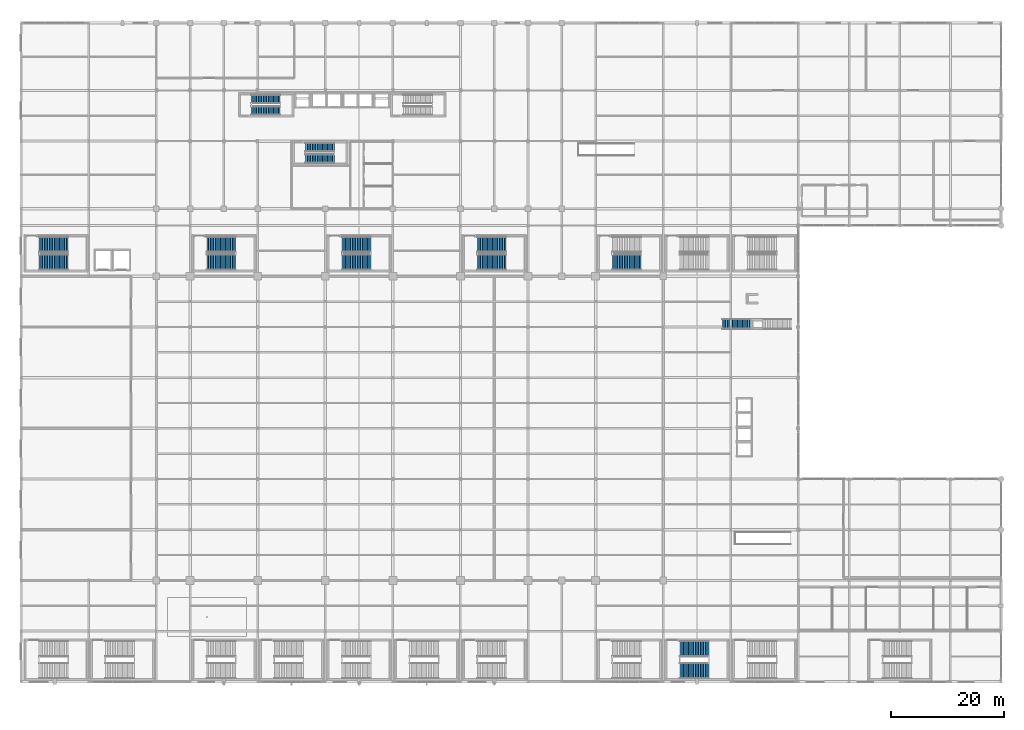
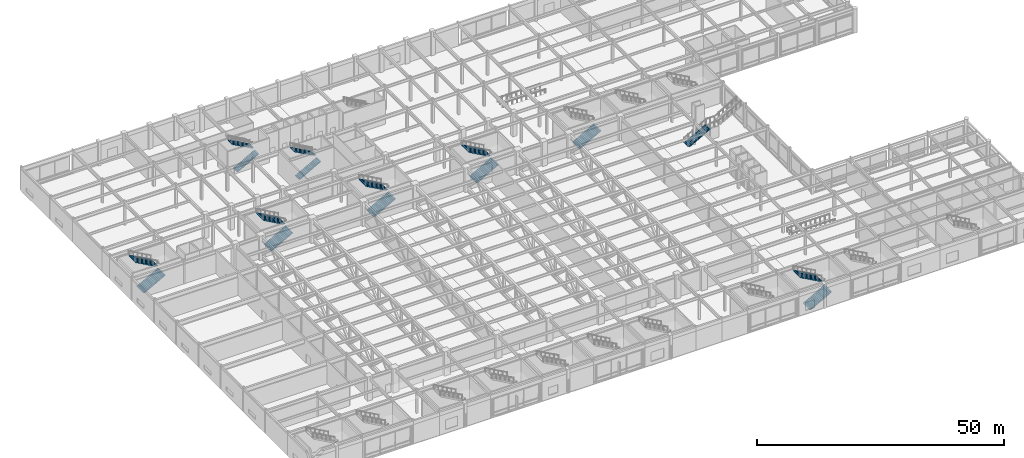
# One storey, part 98 of 108: 16 stair flights, 9 elements without a shape of their own.
"""IFC4 building model written with IfcOpenShell, lengths in metres."""

from ifc_helpers import new_model, si_unit, direction, frame, origin, place, context, subcontext, project, spatial, polyline, outline, extrude, material, type_object, element, aggregate, save


model = new_model("IFC4")

# Units and contexts
model_context = context("Model", 3, precision=1e-05, world=origin(), true_north=direction((0.0, 1.0)))
body_context = subcontext(model_context, "Body", "Model", "MODEL_VIEW")
ifc_project = project(units=[si_unit("LENGTHUNIT", "METRE"), si_unit("AREAUNIT", "SQUARE_METRE"), si_unit("VOLUMEUNIT", "CUBIC_METRE"), si_unit("PLANEANGLEUNIT", "RADIAN"), si_unit("MASSUNIT", "GRAM", prefix="KILO")], contexts=[model_context])

# Site, building, storey
site_placement = place(None, origin())
site = spatial("IfcSite", under=ifc_project, at=site_placement, CompositionType="ELEMENT")
building_placement = place(site_placement, origin())
building = spatial("IfcBuilding", under=site, at=building_placement, Name="Kaldorvane Square Convention Centre", CompositionType="ELEMENT")
storey_placement = place(building_placement, frame((0.0, 0.0, 12.0)))
storey = spatial("IfcBuildingStorey", under=building, at=storey_placement, Name="L02", CompositionType="ELEMENT", Elevation=12.0)

# Stair, stair flight
ifc_material_1 = material(Name="Steel ASTM A500 Gr. C", Category="steel")
stair_type_1 = type_object("IfcStairType", Name="ST-STR-1800-6000", PredefinedType="STRAIGHT_RUN_STAIR", material=ifc_material_1)
stair_1_placement = place(storey_placement, origin())
stair_1 = element("IfcStair", 1, at=stair_1_placement, inside=storey, type_object=stair_type_1, Name="East Foyer Grand Stair F3 (L02)", PredefinedType="STRAIGHT_RUN_STAIR")
stair_flight_type_1 = type_object("IfcStairFlightType", Name="SF-FEAT-1800-18R", PredefinedType="STRAIGHT", material=ifc_material_1)
stair_flight_1_placement = place(storey_placement, frame((124.47999572753906, 63.5, 0.0), z_axis=(0.0, 0.0, 1.0), x_axis=(1.0, 0.0, 0.0)))
stair_flight_1 = element("IfcStairFlight", 2, at=stair_flight_1_placement, type_object=stair_flight_type_1, Name="East Foyer Grand Stair F3 Lower Flight (L02)", NumberOfRisers=18, NumberOfTreads=17, PredefinedType="STRAIGHT", RiserHeight=0.166666667, TreadLength=0.3, context=body_context, shape_type="SweptSolid", body=[
    extrude(outline(polyline([(0.0, 0.0), (0.0, 0.1666717529296875), (0.3000030517578125, 0.1666717529296875), (0.3000030517578125, 0.3333282470703125), (0.600006103515625, 0.3333282470703125), (0.600006103515625, 0.5), (0.899993896484375, 0.5), (0.899993896484375, 0.6666717529296875), (1.1999969482421875, 0.6666717529296875), (1.1999969482421875, 0.8333282470703125), (1.5, 0.8333282470703125), (1.5, 1.0), (1.8000030517578125, 1.0), (1.8000030517578125, 1.1666717529296875), (2.100006103515625, 1.1666717529296875), (2.100006103515625, 1.3333282470703125), (2.399993896484375, 1.3333282470703125), (2.399993896484375, 1.5), (2.6999969482421875, 1.5), (2.6999969482421875, 1.6666717529296875), (3.0, 1.6666717529296875), (3.0, 1.8333282470703125), (3.3000030517578125, 1.8333282470703125), (3.3000030517578125, 2.0), (3.600006103515625, 2.0), (3.600006103515625, 2.1666717529296875), (3.899993896484375, 2.1666717529296875), (3.899993896484375, 2.3333282470703125), (4.1999969482421875, 2.3333282470703125), (4.1999969482421875, 2.5), (4.5, 2.5), (4.5, 2.6666717529296875), (4.8000030517578125, 2.6666717529296875), (4.8000030517578125, 2.8333282470703125), (5.100006103515625, 2.8333282470703125), (5.100006103515625, 3.0), (5.100006103515625, 2.6045379638671875), (0.4118194580078125, 0.0), (0.0, 0.0)])), frame((0.0, 0.899993896484375, 0.0), z_axis=(0.0, -1.0, 0.0), x_axis=(1.0, 0.0, 0.0)), (0.0, 0.0, 1.0), 1.8000030517578125),
])
aggregate(stair_1, [stair_flight_1])

# Stair, stair flights
ifc_material_2 = material(Name="Concrete f'c = 42 MPa (Normalweight)", Category="concrete")
stair_type_2 = type_object("IfcStairType", Name="ST-DL-1600-6000", PredefinedType="HALF_TURN_STAIR", material=ifc_material_2)
stair_2_placement = place(storey_placement, origin())
stair_2 = element("IfcStair", 3, at=stair_2_placement, inside=storey, type_object=stair_type_2, Name="Tower Exit Stair T1 (L02)", PredefinedType="HALF_TURN_STAIR")
stair_flight_type_2 = type_object("IfcStairFlightType", Name="SF-STR-1600-18R", PredefinedType="STRAIGHT", material=ifc_material_2)
stair_flight_2_placement = place(storey_placement, frame((40.899993896484375, 101.41000366210938, 0.0), z_axis=(0.0, 0.0, 1.0), x_axis=(1.0, 0.0, 0.0)))
stair_flight_2 = element("IfcStairFlight", 4, at=stair_flight_2_placement, type_object=stair_flight_type_2, Name="Tower Exit Stair T1 Flight 1 (L02)", NumberOfRisers=18, NumberOfTreads=17, PredefinedType="STRAIGHT", RiserHeight=0.166666667, TreadLength=0.3, context=body_context, shape_type="SweptSolid", body=[
    extrude(outline(polyline([(0.0, 0.0), (0.0, 0.1666717529296875), (0.3000030517578125, 0.1666717529296875), (0.3000030517578125, 0.3333282470703125), (0.600006103515625, 0.3333282470703125), (0.600006103515625, 0.5), (0.899993896484375, 0.5), (0.899993896484375, 0.6666717529296875), (1.1999969482421875, 0.6666717529296875), (1.1999969482421875, 0.8333282470703125), (1.5, 0.8333282470703125), (1.5, 1.0), (1.8000030517578125, 1.0), (1.8000030517578125, 1.1666717529296875), (2.100006103515625, 1.1666717529296875), (2.100006103515625, 1.3333282470703125), (2.399993896484375, 1.3333282470703125), (2.399993896484375, 1.5), (2.6999969482421875, 1.5), (2.6999969482421875, 1.6666717529296875), (3.0, 1.6666717529296875), (3.0, 1.8333282470703125), (3.3000030517578125, 1.8333282470703125), (3.3000030517578125, 2.0), (3.600006103515625, 2.0), (3.600006103515625, 2.1666717529296875), (3.899993896484375, 2.1666717529296875), (3.899993896484375, 2.3333282470703125), (4.1999969482421875, 2.3333282470703125), (4.1999969482421875, 2.5), (4.5, 2.5), (4.5, 2.6666717529296875), (4.8000030517578125, 2.6666717529296875), (4.8000030517578125, 2.8333282470703125), (5.100006103515625, 2.8333282470703125), (5.100006103515625, 3.0), (5.100006103515625, 2.6045379638671875), (0.4118194580078125, 0.0), (0.0, 0.0)])), frame((0.0, 0.8000030517578125, 0.0), z_axis=(0.0, -1.0, 0.0), x_axis=(1.0, 0.0, 0.0)), (0.0, 0.0, 1.0), 1.600006103515625),
])
stair_flight_3_placement = place(storey_placement, frame((46.0, 103.44999694824219, 3.0), z_axis=(0.0, 0.0, 1.0), x_axis=(-1.0, 0.0, 0.0)))
stair_flight_3 = element("IfcStairFlight", 5, at=stair_flight_3_placement, type_object=stair_flight_type_2, Name="Tower Exit Stair T1 Flight 2 (L02)", NumberOfRisers=18, NumberOfTreads=17, PredefinedType="STRAIGHT", RiserHeight=0.166666667, TreadLength=0.3, context=body_context, shape_type="SweptSolid", body=[
    extrude(outline(polyline([(0.0, 0.0), (0.0, 0.1666717529296875), (0.3000030517578125, 0.1666717529296875), (0.3000030517578125, 0.3333282470703125), (0.600006103515625, 0.3333282470703125), (0.600006103515625, 0.5), (0.899993896484375, 0.5), (0.899993896484375, 0.6666717529296875), (1.1999969482421875, 0.6666717529296875), (1.1999969482421875, 0.8333282470703125), (1.5, 0.8333282470703125), (1.5, 1.0), (1.8000030517578125, 1.0), (1.8000030517578125, 1.1666717529296875), (2.100006103515625, 1.1666717529296875), (2.100006103515625, 1.3333282470703125), (2.399993896484375, 1.3333282470703125), (2.399993896484375, 1.5), (2.6999969482421875, 1.5), (2.6999969482421875, 1.6666717529296875), (3.0, 1.6666717529296875), (3.0, 1.8333282470703125), (3.3000030517578125, 1.8333282470703125), (3.3000030517578125, 2.0), (3.600006103515625, 2.0), (3.600006103515625, 2.1666717529296875), (3.899993896484375, 2.1666717529296875), (3.899993896484375, 2.3333282470703125), (4.1999969482421875, 2.3333282470703125), (4.1999969482421875, 2.5), (4.5, 2.5), (4.5, 2.6666717529296875), (4.8000030517578125, 2.6666717529296875), (4.8000030517578125, 2.8333282470703125), (5.100006103515625, 2.8333282470703125), (5.100006103515625, 3.0), (5.100006103515625, 2.6045379638671875), (0.4118194580078125, 0.0), (0.0, 0.0)])), frame((0.0, 0.8000030517578125, 0.0), z_axis=(0.0, -1.0, 0.0), x_axis=(1.0, 0.0, 0.0)), (0.0, 0.0, 1.0), 1.600006103515625),
])
aggregate(stair_2, [stair_flight_2, stair_flight_3])

stair_3_placement = place(storey_placement, origin())
stair_3 = element("IfcStair", 6, at=stair_3_placement, inside=storey, type_object=stair_type_2, Name="Tower Exit Stair T3 (L02)", PredefinedType="HALF_TURN_STAIR")
stair_flight_4_placement = place(storey_placement, frame((50.5, 92.86000061035156, 0.0), z_axis=(0.0, 0.0, 1.0), x_axis=(1.0, 0.0, 0.0)))
stair_flight_4 = element("IfcStairFlight", 7, at=stair_flight_4_placement, type_object=stair_flight_type_2, Name="Tower Exit Stair T3 Flight 1 (L02)", NumberOfRisers=18, NumberOfTreads=17, PredefinedType="STRAIGHT", RiserHeight=0.166666667, TreadLength=0.3, context=body_context, shape_type="SweptSolid", body=[
    extrude(outline(polyline([(0.0, 0.0), (0.0, 0.1666717529296875), (0.3000030517578125, 0.1666717529296875), (0.3000030517578125, 0.3333282470703125), (0.600006103515625, 0.3333282470703125), (0.600006103515625, 0.5), (0.899993896484375, 0.5), (0.899993896484375, 0.6666717529296875), (1.1999969482421875, 0.6666717529296875), (1.1999969482421875, 0.8333282470703125), (1.5, 0.8333282470703125), (1.5, 1.0), (1.8000030517578125, 1.0), (1.8000030517578125, 1.1666717529296875), (2.100006103515625, 1.1666717529296875), (2.100006103515625, 1.3333282470703125), (2.399993896484375, 1.3333282470703125), (2.399993896484375, 1.5), (2.6999969482421875, 1.5), (2.6999969482421875, 1.6666717529296875), (3.0, 1.6666717529296875), (3.0, 1.8333282470703125), (3.3000030517578125, 1.8333282470703125), (3.3000030517578125, 2.0), (3.600006103515625, 2.0), (3.600006103515625, 2.1666717529296875), (3.899993896484375, 2.1666717529296875), (3.899993896484375, 2.3333282470703125), (4.1999969482421875, 2.3333282470703125), (4.1999969482421875, 2.5), (4.5, 2.5), (4.5, 2.6666717529296875), (4.8000030517578125, 2.6666717529296875), (4.8000030517578125, 2.8333282470703125), (5.100006103515625, 2.8333282470703125), (5.100006103515625, 3.0), (5.100006103515625, 2.6045379638671875), (0.4118194580078125, 0.0), (0.0, 0.0)])), frame((0.0, 0.8000030517578125, 0.0), z_axis=(0.0, -1.0, 0.0), x_axis=(1.0, 0.0, 0.0)), (0.0, 0.0, 1.0), 1.600006103515625),
])
stair_flight_5_placement = place(storey_placement, frame((55.600006103515625, 94.89999389648438, 3.0), z_axis=(0.0, 0.0, 1.0), x_axis=(-1.0, 0.0, 0.0)))
stair_flight_5 = element("IfcStairFlight", 8, at=stair_flight_5_placement, type_object=stair_flight_type_2, Name="Tower Exit Stair T3 Flight 2 (L02)", NumberOfRisers=18, NumberOfTreads=17, PredefinedType="STRAIGHT", RiserHeight=0.166666667, TreadLength=0.3, context=body_context, shape_type="SweptSolid", body=[
    extrude(outline(polyline([(0.0, 0.0), (0.0, 0.1666717529296875), (0.3000030517578125, 0.1666717529296875), (0.3000030517578125, 0.3333282470703125), (0.600006103515625, 0.3333282470703125), (0.600006103515625, 0.5), (0.899993896484375, 0.5), (0.899993896484375, 0.6666717529296875), (1.1999969482421875, 0.6666717529296875), (1.1999969482421875, 0.8333282470703125), (1.5, 0.8333282470703125), (1.5, 1.0), (1.8000030517578125, 1.0), (1.8000030517578125, 1.1666717529296875), (2.100006103515625, 1.1666717529296875), (2.100006103515625, 1.3333282470703125), (2.399993896484375, 1.3333282470703125), (2.399993896484375, 1.5), (2.6999969482421875, 1.5), (2.6999969482421875, 1.6666717529296875), (3.0, 1.6666717529296875), (3.0, 1.8333282470703125), (3.3000030517578125, 1.8333282470703125), (3.3000030517578125, 2.0), (3.600006103515625, 2.0), (3.600006103515625, 2.1666717529296875), (3.899993896484375, 2.1666717529296875), (3.899993896484375, 2.3333282470703125), (4.1999969482421875, 2.3333282470703125), (4.1999969482421875, 2.5), (4.5, 2.5), (4.5, 2.6666717529296875), (4.8000030517578125, 2.6666717529296875), (4.8000030517578125, 2.8333282470703125), (5.100006103515625, 2.8333282470703125), (5.100006103515625, 3.0), (5.100006103515625, 2.6045379638671875), (0.4118194580078125, 0.0), (0.0, 0.0)])), frame((0.0, 0.8000030517578125, 0.0), z_axis=(0.0, -1.0, 0.0), x_axis=(1.0, 0.0, 0.0)), (0.0, 0.0, 1.0), 1.600006103515625),
])
aggregate(stair_3, [stair_flight_4, stair_flight_5])

stair_type_3 = type_object("IfcStairType", Name="ST-DL-2800-6000-D6710", PredefinedType="HALF_TURN_STAIR", material=ifc_material_2)
stair_4_placement = place(storey_placement, origin())
stair_4 = element("IfcStair", 9, at=stair_4_placement, inside=storey, type_object=stair_type_3, Name="Convention Exit Stair C9 (L02)", PredefinedType="HALF_TURN_STAIR")
stair_flight_type_3 = type_object("IfcStairFlightType", Name="SF-STR-2800-18R", PredefinedType="STRAIGHT", material=ifc_material_2)
stair_flight_6_placement = place(storey_placement, frame((116.99000549316406, 1.9499969482421875, 0.0), z_axis=(0.0, 0.0, 1.0), x_axis=(1.0, 0.0, 0.0)))
stair_flight_6 = element("IfcStairFlight", 10, at=stair_flight_6_placement, type_object=stair_flight_type_3, Name="Convention Exit Stair C9 Flight 1 (L02)", NumberOfRisers=18, NumberOfTreads=17, PredefinedType="STRAIGHT", RiserHeight=0.166666667, TreadLength=0.3, context=body_context, shape_type="SweptSolid", body=[
    extrude(outline(polyline([(0.0, 0.0), (0.0, 0.1666717529296875), (0.3000030517578125, 0.1666717529296875), (0.3000030517578125, 0.3333282470703125), (0.600006103515625, 0.3333282470703125), (0.600006103515625, 0.5), (0.899993896484375, 0.5), (0.899993896484375, 0.6666717529296875), (1.1999969482421875, 0.6666717529296875), (1.1999969482421875, 0.8333282470703125), (1.5, 0.8333282470703125), (1.5, 1.0), (1.8000030517578125, 1.0), (1.8000030517578125, 1.1666717529296875), (2.100006103515625, 1.1666717529296875), (2.100006103515625, 1.3333282470703125), (2.399993896484375, 1.3333282470703125), (2.399993896484375, 1.5), (2.6999969482421875, 1.5), (2.6999969482421875, 1.6666717529296875), (3.0, 1.6666717529296875), (3.0, 1.8333282470703125), (3.3000030517578125, 1.8333282470703125), (3.3000030517578125, 2.0), (3.600006103515625, 2.0), (3.600006103515625, 2.1666717529296875), (3.899993896484375, 2.1666717529296875), (3.899993896484375, 2.3333282470703125), (4.1999969482421875, 2.3333282470703125), (4.1999969482421875, 2.5), (4.5, 2.5), (4.5, 2.6666717529296875), (4.8000030517578125, 2.6666717529296875), (4.8000030517578125, 2.8333282470703125), (5.100006103515625, 2.8333282470703125), (5.100006103515625, 3.0), (5.100006103515625, 2.6045379638671875), (0.4118194580078125, 0.0), (0.0, 0.0)])), frame((0.0, 1.399993896484375, 0.0), z_axis=(0.0, -1.0, 0.0), x_axis=(1.0, 0.0, 0.0)), (0.0, 0.0, 1.0), 2.8000030517578125),
])
stair_flight_7_placement = place(storey_placement, frame((122.08999633789062, 5.8600006103515625, 3.0), z_axis=(0.0, 0.0, 1.0), x_axis=(-1.0, 0.0, 0.0)))
stair_flight_7 = element("IfcStairFlight", 11, at=stair_flight_7_placement, type_object=stair_flight_type_3, Name="Convention Exit Stair C9 Flight 2 (L02)", NumberOfRisers=18, NumberOfTreads=17, PredefinedType="STRAIGHT", RiserHeight=0.166666667, TreadLength=0.3, context=body_context, shape_type="SweptSolid", body=[
    extrude(outline(polyline([(0.0, 0.0), (0.0, 0.1666717529296875), (0.3000030517578125, 0.1666717529296875), (0.3000030517578125, 0.3333282470703125), (0.600006103515625, 0.3333282470703125), (0.600006103515625, 0.5), (0.899993896484375, 0.5), (0.899993896484375, 0.6666717529296875), (1.1999969482421875, 0.6666717529296875), (1.1999969482421875, 0.8333282470703125), (1.5, 0.8333282470703125), (1.5, 1.0), (1.8000030517578125, 1.0), (1.8000030517578125, 1.1666717529296875), (2.100006103515625, 1.1666717529296875), (2.100006103515625, 1.3333282470703125), (2.399993896484375, 1.3333282470703125), (2.399993896484375, 1.5), (2.6999969482421875, 1.5), (2.6999969482421875, 1.6666717529296875), (3.0, 1.6666717529296875), (3.0, 1.8333282470703125), (3.3000030517578125, 1.8333282470703125), (3.3000030517578125, 2.0), (3.600006103515625, 2.0), (3.600006103515625, 2.1666717529296875), (3.899993896484375, 2.1666717529296875), (3.899993896484375, 2.3333282470703125), (4.1999969482421875, 2.3333282470703125), (4.1999969482421875, 2.5), (4.5, 2.5), (4.5, 2.6666717529296875), (4.8000030517578125, 2.6666717529296875), (4.8000030517578125, 2.8333282470703125), (5.100006103515625, 2.8333282470703125), (5.100006103515625, 3.0), (5.100006103515625, 2.6045379638671875), (0.4118194580078125, 0.0), (0.0, 0.0)])), frame((0.0, 1.399993896484375, 0.0), z_axis=(0.0, -1.0, 0.0), x_axis=(1.0, 0.0, 0.0)), (0.0, 0.0, 1.0), 2.8000030517578125),
])
aggregate(stair_4, [stair_flight_6, stair_flight_7])

stair_type_4 = type_object("IfcStairType", Name="ST-DL-2800-6000", PredefinedType="HALF_TURN_STAIR", material=ifc_material_2)
stair_5_placement = place(storey_placement, origin())
stair_5 = element("IfcStair", 12, at=stair_5_placement, inside=storey, type_object=stair_type_4, Name="Convention Exit Stair C12 (L02)", PredefinedType="HALF_TURN_STAIR")
stair_flight_8_placement = place(storey_placement, frame((3.2100067138671875, 74.5, 0.0), z_axis=(0.0, 0.0, 1.0), x_axis=(1.0, 0.0, 0.0)))
stair_flight_8 = element("IfcStairFlight", 13, at=stair_flight_8_placement, type_object=stair_flight_type_3, Name="Convention Exit Stair C12 Flight 1 (L02)", NumberOfRisers=18, NumberOfTreads=17, PredefinedType="STRAIGHT", RiserHeight=0.166666667, TreadLength=0.3, context=body_context, shape_type="SweptSolid", body=[
    extrude(outline(polyline([(0.0, 0.0), (0.0, 0.1666717529296875), (0.3000030517578125, 0.1666717529296875), (0.3000030517578125, 0.3333282470703125), (0.600006103515625, 0.3333282470703125), (0.600006103515625, 0.5), (0.899993896484375, 0.5), (0.899993896484375, 0.6666717529296875), (1.1999969482421875, 0.6666717529296875), (1.1999969482421875, 0.8333282470703125), (1.5, 0.8333282470703125), (1.5, 1.0), (1.8000030517578125, 1.0), (1.8000030517578125, 1.1666717529296875), (2.100006103515625, 1.1666717529296875), (2.100006103515625, 1.3333282470703125), (2.399993896484375, 1.3333282470703125), (2.399993896484375, 1.5), (2.6999969482421875, 1.5), (2.6999969482421875, 1.6666717529296875), (3.0, 1.6666717529296875), (3.0, 1.8333282470703125), (3.3000030517578125, 1.8333282470703125), (3.3000030517578125, 2.0), (3.600006103515625, 2.0), (3.600006103515625, 2.1666717529296875), (3.899993896484375, 2.1666717529296875), (3.899993896484375, 2.3333282470703125), (4.1999969482421875, 2.3333282470703125), (4.1999969482421875, 2.5), (4.5, 2.5), (4.5, 2.6666717529296875), (4.8000030517578125, 2.6666717529296875), (4.8000030517578125, 2.8333282470703125), (5.100006103515625, 2.8333282470703125), (5.100006103515625, 3.0), (5.100006103515625, 2.6045379638671875), (0.4118194580078125, 0.0), (0.0, 0.0)])), frame((0.0, 1.399993896484375, 0.0), z_axis=(0.0, -1.0, 0.0), x_axis=(1.0, 0.0, 0.0)), (0.0, 0.0, 1.0), 2.8000030517578125),
])
stair_flight_9_placement = place(storey_placement, frame((8.30999755859375, 77.66000366210938, 3.0), z_axis=(0.0, 0.0, 1.0), x_axis=(-1.0, 0.0, 0.0)))
stair_flight_9 = element("IfcStairFlight", 14, at=stair_flight_9_placement, type_object=stair_flight_type_3, Name="Convention Exit Stair C12 Flight 2 (L02)", NumberOfRisers=18, NumberOfTreads=17, PredefinedType="STRAIGHT", RiserHeight=0.166666667, TreadLength=0.3, context=body_context, shape_type="SweptSolid", body=[
    extrude(outline(polyline([(0.0, 0.0), (0.0, 0.1666717529296875), (0.3000030517578125, 0.1666717529296875), (0.3000030517578125, 0.3333282470703125), (0.600006103515625, 0.3333282470703125), (0.600006103515625, 0.5), (0.899993896484375, 0.5), (0.899993896484375, 0.6666717529296875), (1.1999969482421875, 0.6666717529296875), (1.1999969482421875, 0.8333282470703125), (1.5, 0.8333282470703125), (1.5, 1.0), (1.8000030517578125, 1.0), (1.8000030517578125, 1.1666717529296875), (2.100006103515625, 1.1666717529296875), (2.100006103515625, 1.3333282470703125), (2.399993896484375, 1.3333282470703125), (2.399993896484375, 1.5), (2.6999969482421875, 1.5), (2.6999969482421875, 1.6666717529296875), (3.0, 1.6666717529296875), (3.0, 1.8333282470703125), (3.3000030517578125, 1.8333282470703125), (3.3000030517578125, 2.0), (3.600006103515625, 2.0), (3.600006103515625, 2.1666717529296875), (3.899993896484375, 2.1666717529296875), (3.899993896484375, 2.3333282470703125), (4.1999969482421875, 2.3333282470703125), (4.1999969482421875, 2.5), (4.5, 2.5), (4.5, 2.6666717529296875), (4.8000030517578125, 2.6666717529296875), (4.8000030517578125, 2.8333282470703125), (5.100006103515625, 2.8333282470703125), (5.100006103515625, 3.0), (5.100006103515625, 2.6045379638671875), (0.4118194580078125, 0.0), (0.0, 0.0)])), frame((0.0, 1.399993896484375, 0.0), z_axis=(0.0, -1.0, 0.0), x_axis=(1.0, 0.0, 0.0)), (0.0, 0.0, 1.0), 2.8000030517578125),
])
aggregate(stair_5, [stair_flight_8, stair_flight_9])

stair_6_placement = place(storey_placement, origin())
stair_6 = element("IfcStair", 15, at=stair_6_placement, inside=storey, type_object=stair_type_4, Name="Convention Exit Stair C13 (L02)", PredefinedType="HALF_TURN_STAIR")
stair_flight_10_placement = place(storey_placement, frame((32.99000549316406, 74.5, 0.0), z_axis=(0.0, 0.0, 1.0), x_axis=(1.0, 0.0, 0.0)))
stair_flight_10 = element("IfcStairFlight", 16, at=stair_flight_10_placement, type_object=stair_flight_type_3, Name="Convention Exit Stair C13 Flight 1 (L02)", NumberOfRisers=18, NumberOfTreads=17, PredefinedType="STRAIGHT", RiserHeight=0.166666667, TreadLength=0.3, context=body_context, shape_type="SweptSolid", body=[
    extrude(outline(polyline([(0.0, 0.0), (0.0, 0.1666717529296875), (0.3000030517578125, 0.1666717529296875), (0.3000030517578125, 0.3333282470703125), (0.600006103515625, 0.3333282470703125), (0.600006103515625, 0.5), (0.899993896484375, 0.5), (0.899993896484375, 0.6666717529296875), (1.1999969482421875, 0.6666717529296875), (1.1999969482421875, 0.8333282470703125), (1.5, 0.8333282470703125), (1.5, 1.0), (1.8000030517578125, 1.0), (1.8000030517578125, 1.1666717529296875), (2.100006103515625, 1.1666717529296875), (2.100006103515625, 1.3333282470703125), (2.399993896484375, 1.3333282470703125), (2.399993896484375, 1.5), (2.6999969482421875, 1.5), (2.6999969482421875, 1.6666717529296875), (3.0, 1.6666717529296875), (3.0, 1.8333282470703125), (3.3000030517578125, 1.8333282470703125), (3.3000030517578125, 2.0), (3.600006103515625, 2.0), (3.600006103515625, 2.1666717529296875), (3.899993896484375, 2.1666717529296875), (3.899993896484375, 2.3333282470703125), (4.1999969482421875, 2.3333282470703125), (4.1999969482421875, 2.5), (4.5, 2.5), (4.5, 2.6666717529296875), (4.8000030517578125, 2.6666717529296875), (4.8000030517578125, 2.8333282470703125), (5.100006103515625, 2.8333282470703125), (5.100006103515625, 3.0), (5.100006103515625, 2.6045379638671875), (0.4118194580078125, 0.0), (0.0, 0.0)])), frame((0.0, 1.399993896484375, 0.0), z_axis=(0.0, -1.0, 0.0), x_axis=(1.0, 0.0, 0.0)), (0.0, 0.0, 1.0), 2.8000030517578125),
])
stair_flight_11_placement = place(storey_placement, frame((38.089996337890625, 77.66000366210938, 3.0), z_axis=(0.0, 0.0, 1.0), x_axis=(-1.0, 0.0, 0.0)))
stair_flight_11 = element("IfcStairFlight", 17, at=stair_flight_11_placement, type_object=stair_flight_type_3, Name="Convention Exit Stair C13 Flight 2 (L02)", NumberOfRisers=18, NumberOfTreads=17, PredefinedType="STRAIGHT", RiserHeight=0.166666667, TreadLength=0.3, context=body_context, shape_type="SweptSolid", body=[
    extrude(outline(polyline([(0.0, 0.0), (0.0, 0.1666717529296875), (0.3000030517578125, 0.1666717529296875), (0.3000030517578125, 0.3333282470703125), (0.600006103515625, 0.3333282470703125), (0.600006103515625, 0.5), (0.899993896484375, 0.5), (0.899993896484375, 0.6666717529296875), (1.1999969482421875, 0.6666717529296875), (1.1999969482421875, 0.8333282470703125), (1.5, 0.8333282470703125), (1.5, 1.0), (1.8000030517578125, 1.0), (1.8000030517578125, 1.1666717529296875), (2.100006103515625, 1.1666717529296875), (2.100006103515625, 1.3333282470703125), (2.399993896484375, 1.3333282470703125), (2.399993896484375, 1.5), (2.6999969482421875, 1.5), (2.6999969482421875, 1.6666717529296875), (3.0, 1.6666717529296875), (3.0, 1.8333282470703125), (3.3000030517578125, 1.8333282470703125), (3.3000030517578125, 2.0), (3.600006103515625, 2.0), (3.600006103515625, 2.1666717529296875), (3.899993896484375, 2.1666717529296875), (3.899993896484375, 2.3333282470703125), (4.1999969482421875, 2.3333282470703125), (4.1999969482421875, 2.5), (4.5, 2.5), (4.5, 2.6666717529296875), (4.8000030517578125, 2.6666717529296875), (4.8000030517578125, 2.8333282470703125), (5.100006103515625, 2.8333282470703125), (5.100006103515625, 3.0), (5.100006103515625, 2.6045379638671875), (0.4118194580078125, 0.0), (0.0, 0.0)])), frame((0.0, 1.399993896484375, 0.0), z_axis=(0.0, -1.0, 0.0), x_axis=(1.0, 0.0, 0.0)), (0.0, 0.0, 1.0), 2.8000030517578125),
])
aggregate(stair_6, [stair_flight_10, stair_flight_11])

stair_7_placement = place(storey_placement, origin())
stair_7 = element("IfcStair", 18, at=stair_7_placement, inside=storey, type_object=stair_type_4, Name="Convention Exit Stair C14 (L02)", PredefinedType="HALF_TURN_STAIR")
stair_flight_12_placement = place(storey_placement, frame((56.99000549316406, 74.5, 0.0), z_axis=(0.0, 0.0, 1.0), x_axis=(1.0, 0.0, 0.0)))
stair_flight_12 = element("IfcStairFlight", 19, at=stair_flight_12_placement, type_object=stair_flight_type_3, Name="Convention Exit Stair C14 Flight 1 (L02)", NumberOfRisers=18, NumberOfTreads=17, PredefinedType="STRAIGHT", RiserHeight=0.166666667, TreadLength=0.3, context=body_context, shape_type="SweptSolid", body=[
    extrude(outline(polyline([(0.0, 0.0), (0.0, 0.1666717529296875), (0.3000030517578125, 0.1666717529296875), (0.3000030517578125, 0.3333282470703125), (0.600006103515625, 0.3333282470703125), (0.600006103515625, 0.5), (0.899993896484375, 0.5), (0.899993896484375, 0.6666717529296875), (1.1999969482421875, 0.6666717529296875), (1.1999969482421875, 0.8333282470703125), (1.5, 0.8333282470703125), (1.5, 1.0), (1.8000030517578125, 1.0), (1.8000030517578125, 1.1666717529296875), (2.100006103515625, 1.1666717529296875), (2.100006103515625, 1.3333282470703125), (2.399993896484375, 1.3333282470703125), (2.399993896484375, 1.5), (2.6999969482421875, 1.5), (2.6999969482421875, 1.6666717529296875), (3.0, 1.6666717529296875), (3.0, 1.8333282470703125), (3.3000030517578125, 1.8333282470703125), (3.3000030517578125, 2.0), (3.600006103515625, 2.0), (3.600006103515625, 2.1666717529296875), (3.899993896484375, 2.1666717529296875), (3.899993896484375, 2.3333282470703125), (4.1999969482421875, 2.3333282470703125), (4.1999969482421875, 2.5), (4.5, 2.5), (4.5, 2.6666717529296875), (4.8000030517578125, 2.6666717529296875), (4.8000030517578125, 2.8333282470703125), (5.100006103515625, 2.8333282470703125), (5.100006103515625, 3.0), (5.100006103515625, 2.6045379638671875), (0.4118194580078125, 0.0), (0.0, 0.0)])), frame((0.0, 1.399993896484375, 0.0), z_axis=(0.0, -1.0, 0.0), x_axis=(1.0, 0.0, 0.0)), (0.0, 0.0, 1.0), 2.8000030517578125),
])
stair_flight_13_placement = place(storey_placement, frame((62.089996337890625, 77.66000366210938, 3.0), z_axis=(0.0, 0.0, 1.0), x_axis=(-1.0, 0.0, 0.0)))
stair_flight_13 = element("IfcStairFlight", 20, at=stair_flight_13_placement, type_object=stair_flight_type_3, Name="Convention Exit Stair C14 Flight 2 (L02)", NumberOfRisers=18, NumberOfTreads=17, PredefinedType="STRAIGHT", RiserHeight=0.166666667, TreadLength=0.3, context=body_context, shape_type="SweptSolid", body=[
    extrude(outline(polyline([(0.0, 0.0), (0.0, 0.1666717529296875), (0.3000030517578125, 0.1666717529296875), (0.3000030517578125, 0.3333282470703125), (0.600006103515625, 0.3333282470703125), (0.600006103515625, 0.5), (0.899993896484375, 0.5), (0.899993896484375, 0.6666717529296875), (1.1999969482421875, 0.6666717529296875), (1.1999969482421875, 0.8333282470703125), (1.5, 0.8333282470703125), (1.5, 1.0), (1.8000030517578125, 1.0), (1.8000030517578125, 1.1666717529296875), (2.100006103515625, 1.1666717529296875), (2.100006103515625, 1.3333282470703125), (2.399993896484375, 1.3333282470703125), (2.399993896484375, 1.5), (2.6999969482421875, 1.5), (2.6999969482421875, 1.6666717529296875), (3.0, 1.6666717529296875), (3.0, 1.8333282470703125), (3.3000030517578125, 1.8333282470703125), (3.3000030517578125, 2.0), (3.600006103515625, 2.0), (3.600006103515625, 2.1666717529296875), (3.899993896484375, 2.1666717529296875), (3.899993896484375, 2.3333282470703125), (4.1999969482421875, 2.3333282470703125), (4.1999969482421875, 2.5), (4.5, 2.5), (4.5, 2.6666717529296875), (4.8000030517578125, 2.6666717529296875), (4.8000030517578125, 2.8333282470703125), (5.100006103515625, 2.8333282470703125), (5.100006103515625, 3.0), (5.100006103515625, 2.6045379638671875), (0.4118194580078125, 0.0), (0.0, 0.0)])), frame((0.0, 1.399993896484375, 0.0), z_axis=(0.0, -1.0, 0.0), x_axis=(1.0, 0.0, 0.0)), (0.0, 0.0, 1.0), 2.8000030517578125),
])
aggregate(stair_7, [stair_flight_12, stair_flight_13])

stair_8_placement = place(storey_placement, origin())
stair_8 = element("IfcStair", 21, at=stair_8_placement, inside=storey, type_object=stair_type_4, Name="Convention Exit Stair C15 (L02)", PredefinedType="HALF_TURN_STAIR")
stair_flight_14_placement = place(storey_placement, frame((80.99000549316406, 74.5, 0.0), z_axis=(0.0, 0.0, 1.0), x_axis=(1.0, 0.0, 0.0)))
stair_flight_14 = element("IfcStairFlight", 22, at=stair_flight_14_placement, type_object=stair_flight_type_3, Name="Convention Exit Stair C15 Flight 1 (L02)", NumberOfRisers=18, NumberOfTreads=17, PredefinedType="STRAIGHT", RiserHeight=0.166666667, TreadLength=0.3, context=body_context, shape_type="SweptSolid", body=[
    extrude(outline(polyline([(0.0, 0.0), (0.0, 0.1666717529296875), (0.3000030517578125, 0.1666717529296875), (0.3000030517578125, 0.3333282470703125), (0.600006103515625, 0.3333282470703125), (0.600006103515625, 0.5), (0.899993896484375, 0.5), (0.899993896484375, 0.6666717529296875), (1.1999969482421875, 0.6666717529296875), (1.1999969482421875, 0.8333282470703125), (1.5, 0.8333282470703125), (1.5, 1.0), (1.8000030517578125, 1.0), (1.8000030517578125, 1.1666717529296875), (2.100006103515625, 1.1666717529296875), (2.100006103515625, 1.3333282470703125), (2.399993896484375, 1.3333282470703125), (2.399993896484375, 1.5), (2.6999969482421875, 1.5), (2.6999969482421875, 1.6666717529296875), (3.0, 1.6666717529296875), (3.0, 1.8333282470703125), (3.3000030517578125, 1.8333282470703125), (3.3000030517578125, 2.0), (3.600006103515625, 2.0), (3.600006103515625, 2.1666717529296875), (3.899993896484375, 2.1666717529296875), (3.899993896484375, 2.3333282470703125), (4.1999969482421875, 2.3333282470703125), (4.1999969482421875, 2.5), (4.5, 2.5), (4.5, 2.6666717529296875), (4.8000030517578125, 2.6666717529296875), (4.8000030517578125, 2.8333282470703125), (5.100006103515625, 2.8333282470703125), (5.100006103515625, 3.0), (5.100006103515625, 2.6045379638671875), (0.4118194580078125, 0.0), (0.0, 0.0)])), frame((0.0, 1.399993896484375, 0.0), z_axis=(0.0, -1.0, 0.0), x_axis=(1.0, 0.0, 0.0)), (0.0, 0.0, 1.0), 2.8000030517578125),
])
stair_flight_15_placement = place(storey_placement, frame((86.08999633789062, 77.66000366210938, 3.0), z_axis=(0.0, 0.0, 1.0), x_axis=(-1.0, 0.0, 0.0)))
stair_flight_15 = element("IfcStairFlight", 23, at=stair_flight_15_placement, type_object=stair_flight_type_3, Name="Convention Exit Stair C15 Flight 2 (L02)", NumberOfRisers=18, NumberOfTreads=17, PredefinedType="STRAIGHT", RiserHeight=0.166666667, TreadLength=0.3, context=body_context, shape_type="SweptSolid", body=[
    extrude(outline(polyline([(0.0, 0.0), (0.0, 0.1666717529296875), (0.3000030517578125, 0.1666717529296875), (0.3000030517578125, 0.3333282470703125), (0.600006103515625, 0.3333282470703125), (0.600006103515625, 0.5), (0.899993896484375, 0.5), (0.899993896484375, 0.6666717529296875), (1.1999969482421875, 0.6666717529296875), (1.1999969482421875, 0.8333282470703125), (1.5, 0.8333282470703125), (1.5, 1.0), (1.8000030517578125, 1.0), (1.8000030517578125, 1.1666717529296875), (2.100006103515625, 1.1666717529296875), (2.100006103515625, 1.3333282470703125), (2.399993896484375, 1.3333282470703125), (2.399993896484375, 1.5), (2.6999969482421875, 1.5), (2.6999969482421875, 1.6666717529296875), (3.0, 1.6666717529296875), (3.0, 1.8333282470703125), (3.3000030517578125, 1.8333282470703125), (3.3000030517578125, 2.0), (3.600006103515625, 2.0), (3.600006103515625, 2.1666717529296875), (3.899993896484375, 2.1666717529296875), (3.899993896484375, 2.3333282470703125), (4.1999969482421875, 2.3333282470703125), (4.1999969482421875, 2.5), (4.5, 2.5), (4.5, 2.6666717529296875), (4.8000030517578125, 2.6666717529296875), (4.8000030517578125, 2.8333282470703125), (5.100006103515625, 2.8333282470703125), (5.100006103515625, 3.0), (5.100006103515625, 2.6045379638671875), (0.4118194580078125, 0.0), (0.0, 0.0)])), frame((0.0, 1.399993896484375, 0.0), z_axis=(0.0, -1.0, 0.0), x_axis=(1.0, 0.0, 0.0)), (0.0, 0.0, 1.0), 2.8000030517578125),
])
aggregate(stair_8, [stair_flight_14, stair_flight_15])

# Stair, stair flight
stair_9_placement = place(storey_placement, origin())
stair_9 = element("IfcStair", 24, at=stair_9_placement, inside=storey, type_object=stair_type_4, Name="Convention Exit Stair C16 (L02)", PredefinedType="HALF_TURN_STAIR")
stair_flight_16_placement = place(storey_placement, frame((104.99000549316406, 74.5, 0.0), z_axis=(0.0, 0.0, 1.0), x_axis=(1.0, 0.0, 0.0)))
stair_flight_16 = element("IfcStairFlight", 25, at=stair_flight_16_placement, type_object=stair_flight_type_3, Name="Convention Exit Stair C16 Flight 1 (L02)", NumberOfRisers=18, NumberOfTreads=17, PredefinedType="STRAIGHT", RiserHeight=0.166666667, TreadLength=0.3, context=body_context, shape_type="SweptSolid", body=[
    extrude(outline(polyline([(0.0, 0.0), (0.0, 0.1666717529296875), (0.3000030517578125, 0.1666717529296875), (0.3000030517578125, 0.3333282470703125), (0.600006103515625, 0.3333282470703125), (0.600006103515625, 0.5), (0.899993896484375, 0.5), (0.899993896484375, 0.6666717529296875), (1.1999969482421875, 0.6666717529296875), (1.1999969482421875, 0.8333282470703125), (1.5, 0.8333282470703125), (1.5, 1.0), (1.8000030517578125, 1.0), (1.8000030517578125, 1.1666717529296875), (2.100006103515625, 1.1666717529296875), (2.100006103515625, 1.3333282470703125), (2.399993896484375, 1.3333282470703125), (2.399993896484375, 1.5), (2.6999969482421875, 1.5), (2.6999969482421875, 1.6666717529296875), (3.0, 1.6666717529296875), (3.0, 1.8333282470703125), (3.3000030517578125, 1.8333282470703125), (3.3000030517578125, 2.0), (3.600006103515625, 2.0), (3.600006103515625, 2.1666717529296875), (3.899993896484375, 2.1666717529296875), (3.899993896484375, 2.3333282470703125), (4.1999969482421875, 2.3333282470703125), (4.1999969482421875, 2.5), (4.5, 2.5), (4.5, 2.6666717529296875), (4.8000030517578125, 2.6666717529296875), (4.8000030517578125, 2.8333282470703125), (5.100006103515625, 2.8333282470703125), (5.100006103515625, 3.0), (5.100006103515625, 2.6045379638671875), (0.4118194580078125, 0.0), (0.0, 0.0)])), frame((0.0, 1.399993896484375, 0.0), z_axis=(0.0, -1.0, 0.0), x_axis=(1.0, 0.0, 0.0)), (0.0, 0.0, 1.0), 2.8000030517578125),
])
aggregate(stair_9, [stair_flight_16])

save(model, "model.ifc")
